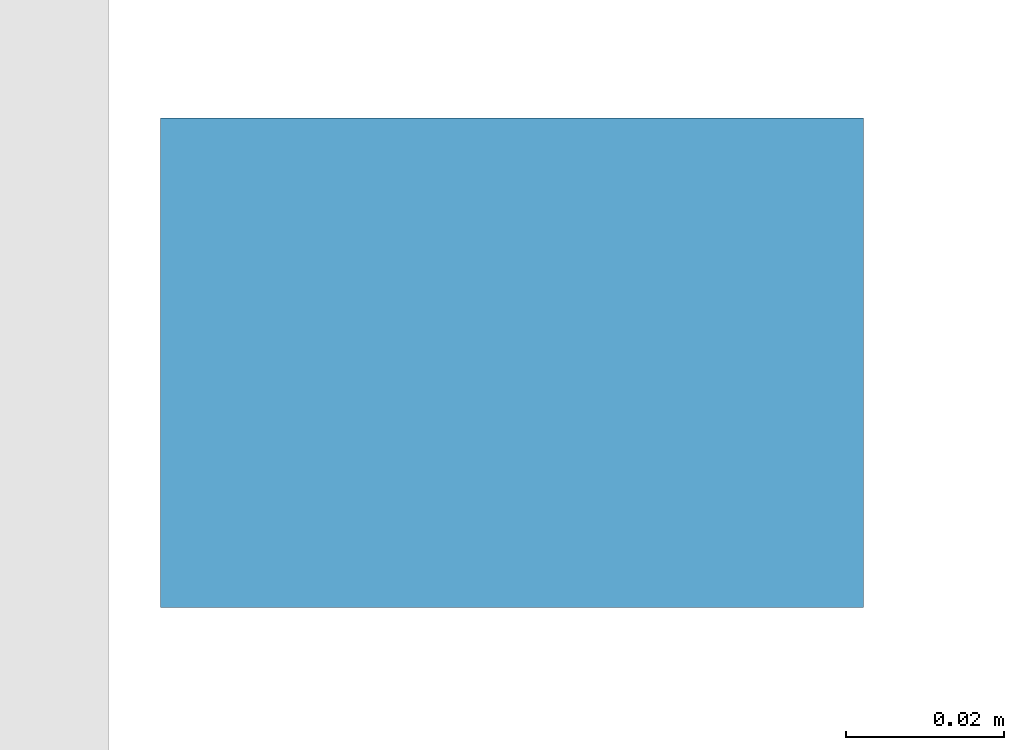
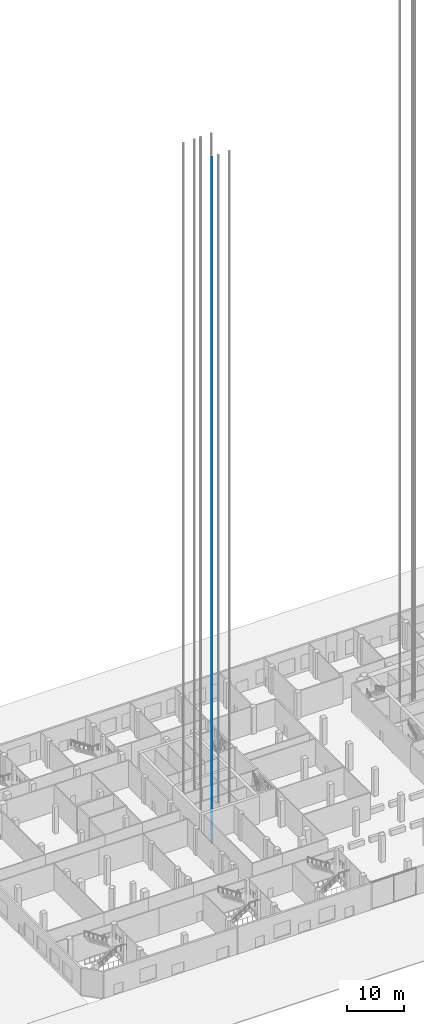
# One storey, part 3 of 55: 1 member.
"""IFC4 building model written with IfcOpenShell, lengths in metres."""

import ifcopenshell
import ifcopenshell.guid

model = None  # the IFC model being written
_history = None  # IfcOwnerHistory: only IFC2X3 demands one
_inside = {}  # id of a spatial element -> (the spatial element, [elements in it])
_under = {}  # id of a project, library or spatial element -> (it, [spatial elements below it])
_declared = {}  # id of a project -> (the project, [libraries it declares])
_typed = {}  # id of a type object -> (the type object, [elements of that type])
_made_of = {}  # id of a material, layer set ... -> (it, [elements and type objects made of it])


def new_model(schema):
    """Start an empty IFC model of exactly this schema.

    Asked for "IFC4X3", IfcOpenShell would pick the latest addendum, in which some entities
    have other attributes; the version numbers below select the first issue.
    IFC2X3 requires an IfcOwnerHistory on every rooted entity: one is made here for all.
    """
    global model, _history
    if schema == "IFC4X3":
        model = ifcopenshell.file(schema_version=(4, 3, 0, 0))
    else:
        model = ifcopenshell.file(schema=schema)
    _inside.clear()
    _under.clear()
    _declared.clear()
    _typed.clear()
    _made_of.clear()
    _history = None
    if model.schema == "IFC2X3":
        org = make("IfcOrganization", Name="unknown")
        user = make(
            "IfcPersonAndOrganization",
            ThePerson=make("IfcPerson", FamilyName="unknown"),
            TheOrganization=org,
        )
        app = make(
            "IfcApplication",
            ApplicationDeveloper=org,
            Version="unknown",
            ApplicationFullName="unknown",
            ApplicationIdentifier="unknown",
        )
        _history = make(
            "IfcOwnerHistory",
            OwningUser=user,
            OwningApplication=app,
            ChangeAction="ADDED",
            CreationDate=0,
        )
    return model


def make(cls, **values):
    """One entity of the class cls with the attributes given. An attribute that is None is left unset."""
    return model.create_entity(
        cls, **{name: value for name, value in values.items() if value is not None}
    )


def rooted(cls, **values):
    """An entity with a GlobalId (a new one), such as an element, a storey or a relation."""
    return make(cls, GlobalId=ifcopenshell.guid.new(), OwnerHistory=_history, **values)


def si_unit(unit_type, name, prefix=None):
    """IfcSIUnit, for example si_unit("LENGTHUNIT", "METRE", prefix="MILLI")."""
    return make("IfcSIUnit", UnitType=unit_type, Prefix=prefix, Name=name)


def assignment(units):
    """IfcUnitAssignment: the units of a project."""
    return None if units is None else make("IfcUnitAssignment", Units=units)


def point(xyz):
    """IfcCartesianPoint."""
    return None if xyz is None else make("IfcCartesianPoint", Coordinates=xyz)


def direction(xyz):
    """IfcDirection."""
    return None if xyz is None else make("IfcDirection", DirectionRatios=xyz)


def frame(location, z_axis=None, x_axis=None):
    """IfcAxis2Placement3D, a coordinate frame: its origin and axes. An axis left out is left unset."""
    return make(
        "IfcAxis2Placement3D",
        Location=point(location),
        Axis=direction(z_axis),
        RefDirection=direction(x_axis),
    )


def frame_2d(location, x_axis=None):
    """IfcAxis2Placement2D, a coordinate frame in the plane: its origin and x axis."""
    return make(
        "IfcAxis2Placement2D", Location=point(location), RefDirection=direction(x_axis)
    )


def origin():
    """The frame at (0, 0, 0) with its axes left unset."""
    return frame((0.0, 0.0, 0.0))


def origin_2d():
    """The frame at (0, 0) in the plane with its x axis left unset."""
    return frame_2d((0.0, 0.0))


def place(relative_to, where):
    """IfcLocalPlacement: puts the frame where relative to a parent placement (None: the world)."""
    return make(
        "IfcLocalPlacement", PlacementRelTo=relative_to, RelativePlacement=where
    )


def context(
    kind, dimensions, precision=None, world=None, true_north=None, identifier=None
):
    """IfcGeometricRepresentationContext, for example the 3D "Model" context."""
    return make(
        "IfcGeometricRepresentationContext",
        ContextIdentifier=identifier,
        ContextType=kind,
        CoordinateSpaceDimension=dimensions,
        Precision=precision,
        WorldCoordinateSystem=world,
        TrueNorth=true_north,
    )


def subcontext(parent, identifier, kind, view, scale=None):
    """IfcGeometricRepresentationSubContext, for example "Body" below "Model"."""
    return make(
        "IfcGeometricRepresentationSubContext",
        ContextIdentifier=identifier,
        ContextType=kind,
        ParentContext=parent,
        TargetScale=scale,
        TargetView=view,
    )


def project(units=None, contexts=None):
    """IfcProject with its units and contexts."""
    return rooted(
        "IfcProject",
        Name="project",
        RepresentationContexts=contexts,
        UnitsInContext=assignment(units),
    )


def spatial(cls, under=None, at=None, **own):
    """A site, building, storey or space (cls), placed at a placement, below another one or the project."""
    s = rooted(cls, ObjectPlacement=at, **own)
    if under is not None:
        _under.setdefault(under.id(), (under, []))[1].append(s)
    return s


def profile(cls, at=None, kind="AREA", **sizes):
    """A parametric profile (cls). Its sizes go by their IFC names, for example OverallWidth=200.0."""
    return make(cls, ProfileType=kind, Position=at, **sizes)


def rectangle(**sizes):
    """IfcRectangleProfileDef."""
    return profile("IfcRectangleProfileDef", **sizes)


def extrude(swept, where, along, depth):
    """IfcExtrudedAreaSolid: the profile swept, set in the frame where, extruded along a direction by depth."""
    return make(
        "IfcExtrudedAreaSolid",
        SweptArea=swept,
        Position=where,
        ExtrudedDirection=direction(along),
        Depth=depth,
    )


def shape(context_of_items, identifier, shape_type, items):
    """IfcShapeRepresentation: the items that make up one representation, for example the "Body"."""
    return make(
        "IfcShapeRepresentation",
        ContextOfItems=context_of_items,
        RepresentationIdentifier=identifier,
        RepresentationType=shape_type,
        Items=items,
    )


def material(Name=None, Category=None):
    """IfcMaterial."""
    return make("IfcMaterial", Name=Name, Category=Category)


def material_profile(
    of_material, cross_section, Name=None, Category=None, Priority=None
):
    """IfcMaterialProfile: a cross section and its material."""
    return make(
        "IfcMaterialProfile",
        Name=Name,
        Material=of_material,
        Profile=cross_section,
        Priority=Priority,
        Category=Category,
    )


def profile_set(profiles, Name=None, composite=None):
    """IfcMaterialProfileSet."""
    return make(
        "IfcMaterialProfileSet",
        Name=Name,
        MaterialProfiles=profiles,
        CompositeProfile=composite,
    )


def made_of(thing, what):
    """Note that an element or type object is made of a material, layer set ...; save() writes the relation."""
    if what is not None:
        _made_of.setdefault(what.id(), (what, []))[1].append(thing)
    return thing


def type_object(cls, material=None, **own):
    """A type object (cls), such as IfcWallType, which elements share."""
    return made_of(rooted(cls, **own), material)


def element(
    cls,
    number,
    at=None,
    inside=None,
    cuts=None,
    type_object=None,
    material=None,
    context=None,
    identifier="Body",
    shape_type=None,
    held_by="IfcProductDefinitionShape",
    body=None,
    shapes=None,
    **own,
):
    """One element of the class cls, such as IfcWall. Its Tag is "e" and its number.

    at: its placement. inside: the storey or other place that contains it. cuts: it is an
    opening in that element (IfcRelVoidsElement). A single representation is given by context,
    identifier, shape_type and body (its items); several are given by shapes. held_by: the class
    of the entity that holds the representations. save() writes the other relations.
    """
    e = rooted(cls, Tag="e%d" % number, ObjectPlacement=at, **own)
    if body is not None:
        shapes = [shape(context, identifier, shape_type, body)]
    if shapes is not None:
        e.Representation = make(held_by, Representations=shapes)
    if inside is not None:
        _inside.setdefault(inside.id(), (inside, []))[1].append(e)
    if cuts is not None:
        rooted(
            "IfcRelVoidsElement", RelatingBuildingElement=cuts, RelatedOpeningElement=e
        )
    if type_object is not None:
        _typed.setdefault(type_object.id(), (type_object, []))[1].append(e)
    return made_of(e, material)


def aggregate(whole, parts):
    """IfcRelAggregates: a whole, such as a stair, and the parts it consists of."""
    return rooted("IfcRelAggregates", RelatingObject=whole, RelatedObjects=parts)


def save(model, path):
    """Write the relations noted so far, then the file.

    IfcRelAggregates (storeys below a building ...), IfcRelContainedInSpatialStructure (elements
    in a storey), IfcRelDefinesByType, IfcRelAssociatesMaterial and IfcRelDeclares: one each for
    every whole, place, type object, material and project.
    """
    for whole, parts in _under.values():
        aggregate(whole, parts)
    for where, things in _inside.values():
        rooted(
            "IfcRelContainedInSpatialStructure",
            RelatedElements=things,
            RelatingStructure=where,
        )
    for kind, things in _typed.values():
        rooted("IfcRelDefinesByType", RelatedObjects=things, RelatingType=kind)
    for what, things in _made_of.values():
        rooted("IfcRelAssociatesMaterial", RelatedObjects=things, RelatingMaterial=what)
    for by, libraries in _declared.values():
        rooted("IfcRelDeclares", RelatingContext=by, RelatedDefinitions=libraries)
    model.write(path)


model = new_model("IFC4")

# Units and contexts
model_context = context("Model", 3, precision=1e-05, world=origin(), true_north=direction((0.0, 1.0)))
body_context = subcontext(model_context, "Body", "Model", "MODEL_VIEW")
ifc_project = project(units=[si_unit("LENGTHUNIT", "METRE"), si_unit("AREAUNIT", "SQUARE_METRE"), si_unit("VOLUMEUNIT", "CUBIC_METRE"), si_unit("PLANEANGLEUNIT", "RADIAN"), si_unit("MASSUNIT", "GRAM", prefix="KILO")], contexts=[model_context])

# Site, building, storey
site_placement = place(None, origin())
site = spatial("IfcSite", under=ifc_project, at=site_placement, CompositionType="ELEMENT")
building_placement = place(site_placement, origin())
building = spatial("IfcBuilding", under=site, at=building_placement, Name="Cinnabar Reach Civic Tower", CompositionType="ELEMENT")
storey_placement = place(building_placement, origin())
storey = spatial("IfcBuildingStorey", under=building, at=storey_placement, Name="L00", CompositionType="ELEMENT", Elevation=0.0)

# Member
ifc_material = material(Name="Steel Q355B", Category="steel")
ifc_material_profile = material_profile(ifc_material, rectangle(XDim=0.089, YDim=0.062, at=origin_2d()), Name="T89")
ifc_profile_set = profile_set([ifc_material_profile], Name="Steel Q355B")
member_type = type_object("IfcMemberType", Name="Lift guide rail T89", PredefinedType="MEMBER", material=ifc_profile_set)
member_placement = place(storey_placement, frame((-39.149, 22.7, -2.5), z_axis=(0.0, 0.0, 1.0), x_axis=(1.0, 0.0, 0.0)))
element("IfcMember", 1, at=member_placement, inside=storey, type_object=member_type, Name="Lift guide rail 2", PredefinedType="MEMBER", context=body_context, shape_type="SweptSolid", body=[
    extrude(rectangle(XDim=0.089, YDim=0.062, at=origin_2d()), origin(), (0.0, 0.0, 1.0), 146.05),
])

save(model, "model.ifc")
